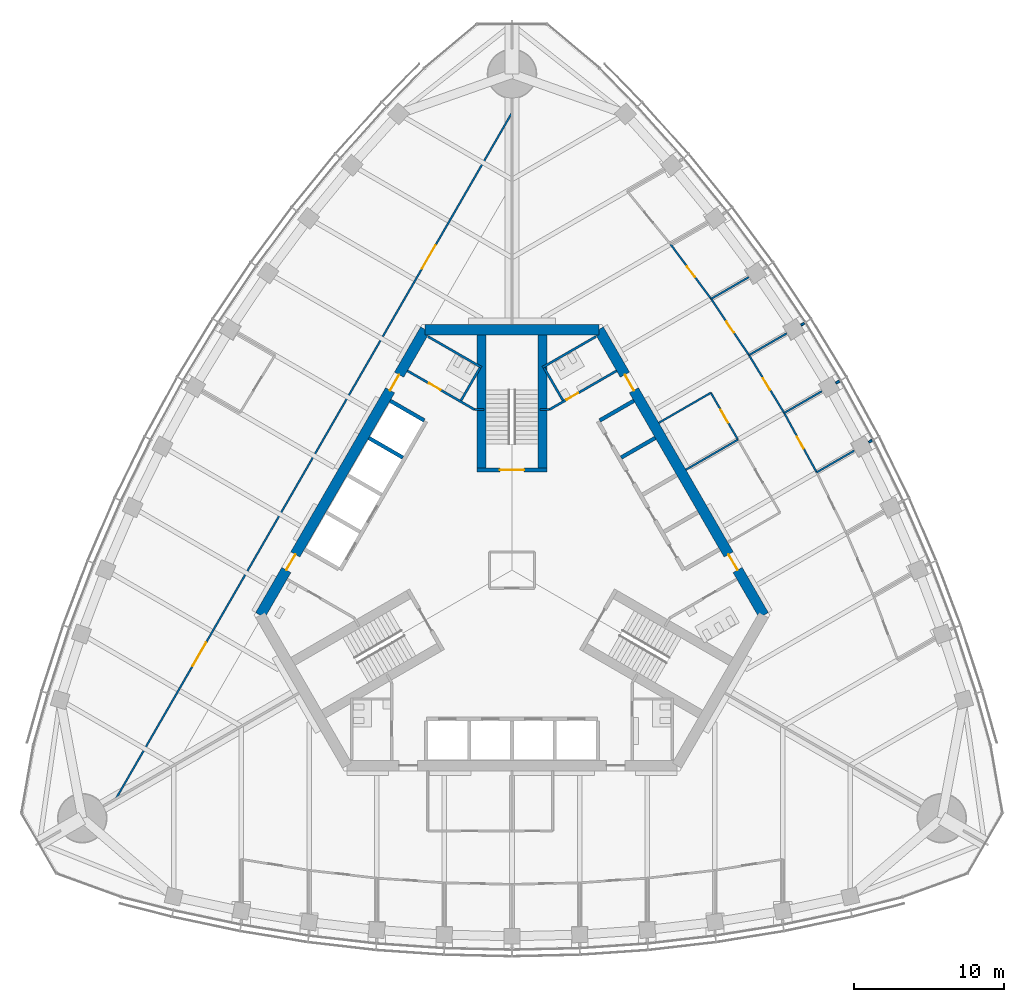
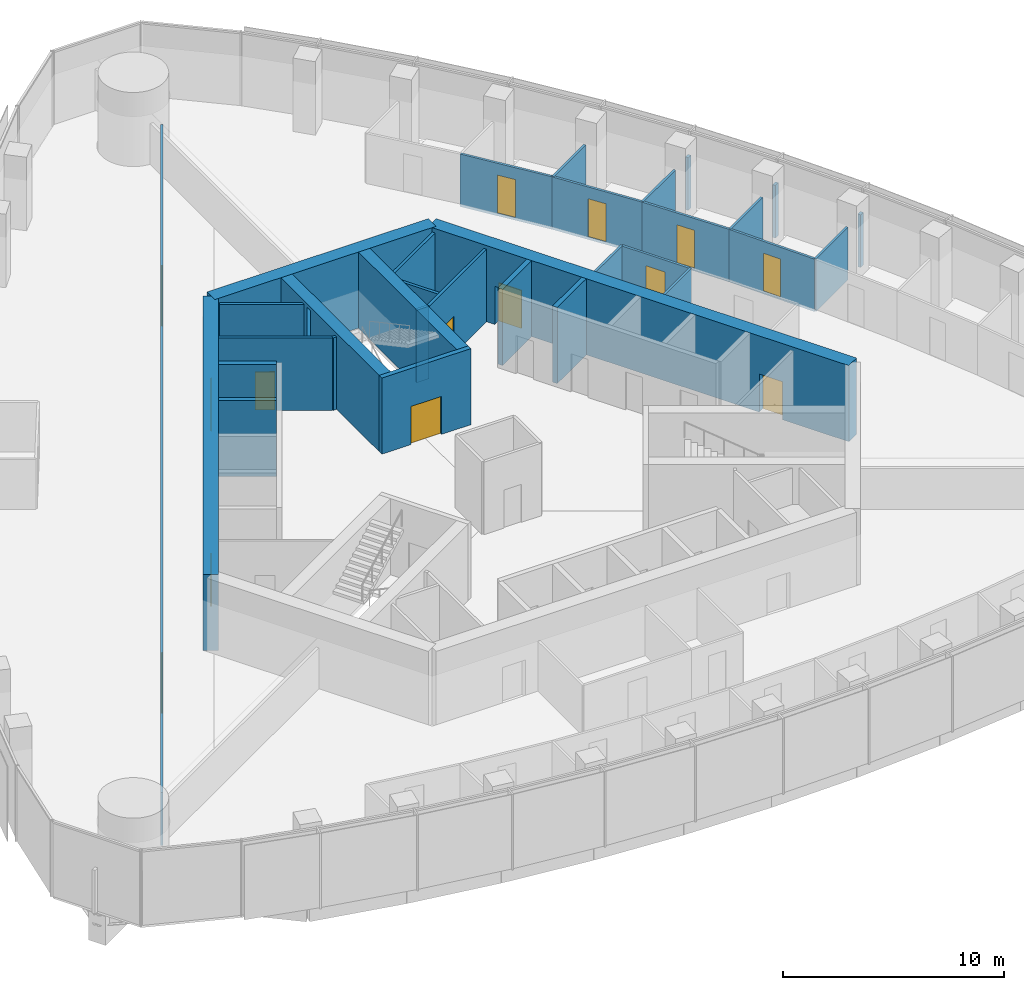
# One storey, part 14 of 20: 33 walls, 14 doors, 14 openings.
"""IFC4 building model written with IfcOpenShell, lengths in metres."""

from ifc_helpers import new_model, si_unit, direction, frame, frame_2d, origin, place, context, subcontext, project, spatial, rectangle, extrude, material, layer, layer_set, type_object, element, fill, save


model = new_model("IFC4")

# Units and contexts
model_context = context("Model", 3, precision=1e-05, world=origin(), true_north=direction((0.0, 1.0)))
body_context = subcontext(model_context, "Body", "Model", "MODEL_VIEW")
ifc_project = project(units=[si_unit("LENGTHUNIT", "METRE"), si_unit("AREAUNIT", "SQUARE_METRE"), si_unit("VOLUMEUNIT", "CUBIC_METRE"), si_unit("PLANEANGLEUNIT", "RADIAN"), si_unit("MASSUNIT", "GRAM", prefix="KILO")], contexts=[model_context])

# Site, building, storey
site_placement = place(None, origin())
site = spatial("IfcSite", under=ifc_project, at=site_placement, CompositionType="ELEMENT")
building_placement = place(site_placement, origin())
building = spatial("IfcBuilding", under=site, at=building_placement, Name="Trefoil Bronze Tower", CompositionType="ELEMENT")
storey_placement = place(building_placement, frame((0.0, 0.0, 231.699951171875)))
storey = spatial("IfcBuildingStorey", under=building, at=storey_placement, Name="L53", CompositionType="ELEMENT", Elevation=231.699951171875)

# Wall, openings, doors
ifc_material_1 = material(Name="Concrete B80", Category="concrete")
ifc_layer_1 = layer(ifc_material_1, 0.699951171875)
ifc_layer_set_1 = layer_set([ifc_layer_1], Name="Core wall 700")
wall_type_1 = type_object("IfcWallType", Name="Core wall 700", PredefinedType="SHEAR", material=ifc_layer_set_1)
wall_1_placement = place(storey_placement, frame((16.7431640625, -3.0, 0.0), z_axis=(0.0, 0.0, 1.0), x_axis=(-0.500002442456, 0.866023993627, 0.0)))
wall_1 = element("IfcWall", 1, at=wall_1_placement, inside=storey, type_object=wall_type_1, Name="Core long wall 2 L53", PredefinedType="SHEAR", context=body_context, shape_type="SweptSolid", body=[
    extrude(rectangle(XDim=21.939453125, YDim=0.699951171875, at=frame_2d((10.9697265625, 0.0))), origin(), (0.0, 0.0, 1.0), 4.199951171875),
])
opening_1_placement = place(wall_1_placement, frame((17.269775390625, 0.0, 0.0)))
opening_1 = element("IfcOpeningElement", 2, at=opening_1_placement, cuts=wall_1, Name="Opening D2", PredefinedType="OPENING", context=body_context, shape_type="SweptSolid", body=[
    extrude(rectangle(XDim=1.199951171875, YDim=2.10009765625, at=frame_2d((0.60009765625, 1.050048828125))), frame((0.0, 0.35986328125, 0.0), z_axis=(0.0, -1.0, 0.0), x_axis=(1.0, 0.0, 0.0)), (0.0, 0.0, 1.0), 0.719970703125),
])
opening_2_placement = place(wall_1_placement, frame((3.4697265625, 0.0, 0.0)))
opening_2 = element("IfcOpeningElement", 3, at=opening_2_placement, cuts=wall_1, Name="Opening D2", PredefinedType="OPENING", context=body_context, shape_type="SweptSolid", body=[
    extrude(rectangle(XDim=1.199951171875, YDim=2.10009765625, at=frame_2d((0.60009765625, 1.050048828125))), frame((0.0, 0.35986328125, 0.0), z_axis=(0.0, -1.0, 0.0), x_axis=(1.0, 0.0, 0.0)), (0.0, 0.0, 1.0), 0.719970703125),
])
ifc_material_2 = material(Name="Steel door", Category="steel")
door_type_1 = type_object("IfcDoorType", Name="Lobby door 1200", OperationType="SINGLE_SWING_RIGHT", PredefinedType="DOOR", material=ifc_material_2)
door_1_placement = place(opening_1_placement, origin())
door_1 = element("IfcDoor", 4, at=door_1_placement, inside=storey, type_object=door_type_1, Name="Lobby door F2+ L53", OperationType="SINGLE_SWING_RIGHT", OverallHeight=2.10009765625, OverallWidth=1.199951171875, PredefinedType="DOOR", context=body_context, shape_type="SweptSolid", body=[
    extrude(rectangle(XDim=1.199951171875, YDim=2.10009765625, at=frame_2d((0.60009765625, 1.050048828125))), frame((0.0, 0.02490234375, 0.0), z_axis=(0.0, -1.0, 0.0), x_axis=(1.0, 0.0, 0.0)), (0.0, 0.0, 1.0), 0.050048828125),
])
fill(opening_1, door_1)
door_2_placement = place(opening_2_placement, origin())
door_2 = element("IfcDoor", 5, at=door_2_placement, inside=storey, type_object=door_type_1, Name="Lobby door F2- L53", OperationType="SINGLE_SWING_LEFT", OverallHeight=2.10009765625, OverallWidth=1.199951171875, PredefinedType="DOOR", context=body_context, shape_type="SweptSolid", body=[
    extrude(rectangle(XDim=1.199951171875, YDim=2.10009765625, at=frame_2d((0.60009765625, 1.050048828125))), frame((0.0, 0.02490234375, 0.0), z_axis=(0.0, -1.0, 0.0), x_axis=(1.0, 0.0, 0.0)), (0.0, 0.0, 1.0), 0.050048828125),
])
fill(opening_2, door_2)

# Wall
wall_2_placement = place(storey_placement, frame((5.7734375, 16.0, 0.0), z_axis=(0.0, 0.0, 1.0), x_axis=(-1.0, 0.0, 0.0)))
element("IfcWall", 6, at=wall_2_placement, inside=storey, type_object=wall_type_1, Name="Core short wall 2 L53", PredefinedType="SHEAR", context=body_context, shape_type="SweptSolid", body=[
    extrude(rectangle(XDim=11.546875, YDim=0.699951171875, at=frame_2d((5.7734375, 0.0))), origin(), (0.0, 0.0, 1.0), 4.199951171875),
])

# Wall, openings, doors
wall_3_placement = place(storey_placement, frame((-5.7734375, 16.0, 0.0), z_axis=(0.0, 0.0, 1.0), x_axis=(-0.500002442456, -0.866023993627, 0.0)))
wall_3 = element("IfcWall", 7, at=wall_3_placement, inside=storey, type_object=wall_type_1, Name="Core long wall 3 L53", PredefinedType="SHEAR", context=body_context, shape_type="SweptSolid", body=[
    extrude(rectangle(XDim=21.939453125, YDim=0.699951171875, at=frame_2d((10.9697265625, 0.0))), origin(), (0.0, 0.0, 1.0), 4.199951171875),
])
opening_3_placement = place(wall_3_placement, frame((17.269775390625, 0.0, 0.0)))
opening_3 = element("IfcOpeningElement", 8, at=opening_3_placement, cuts=wall_3, Name="Opening D2", PredefinedType="OPENING", context=body_context, shape_type="SweptSolid", body=[
    extrude(rectangle(XDim=1.199951171875, YDim=2.10009765625, at=frame_2d((0.60009765625, 1.050048828125))), frame((0.0, 0.35986328125, 0.0), z_axis=(0.0, -1.0, 0.0), x_axis=(1.0, 0.0, 0.0)), (0.0, 0.0, 1.0), 0.719970703125),
])
opening_4_placement = place(wall_3_placement, frame((3.4697265625, 0.0, 0.0)))
opening_4 = element("IfcOpeningElement", 9, at=opening_4_placement, cuts=wall_3, Name="Opening D2", PredefinedType="OPENING", context=body_context, shape_type="SweptSolid", body=[
    extrude(rectangle(XDim=1.199951171875, YDim=2.10009765625, at=frame_2d((0.60009765625, 1.050048828125))), frame((0.0, 0.35986328125, 0.0), z_axis=(0.0, -1.0, 0.0), x_axis=(1.0, 0.0, 0.0)), (0.0, 0.0, 1.0), 0.719970703125),
])
door_3_placement = place(opening_3_placement, origin())
door_3 = element("IfcDoor", 10, at=door_3_placement, inside=storey, type_object=door_type_1, Name="Lobby door F3+ L53", OperationType="SINGLE_SWING_RIGHT", OverallHeight=2.10009765625, OverallWidth=1.199951171875, PredefinedType="DOOR", context=body_context, shape_type="SweptSolid", body=[
    extrude(rectangle(XDim=1.199951171875, YDim=2.10009765625, at=frame_2d((0.60009765625, 1.050048828125))), frame((0.0, 0.02490234375, 0.0), z_axis=(0.0, -1.0, 0.0), x_axis=(1.0, 0.0, 0.0)), (0.0, 0.0, 1.0), 0.050048828125),
])
fill(opening_3, door_3)
door_4_placement = place(opening_4_placement, origin())
door_4 = element("IfcDoor", 11, at=door_4_placement, inside=storey, type_object=door_type_1, Name="Lobby door F3- L53", OperationType="SINGLE_SWING_LEFT", OverallHeight=2.10009765625, OverallWidth=1.199951171875, PredefinedType="DOOR", context=body_context, shape_type="SweptSolid", body=[
    extrude(rectangle(XDim=1.199951171875, YDim=2.10009765625, at=frame_2d((0.60009765625, 1.050048828125))), frame((0.0, 0.02490234375, 0.0), z_axis=(0.0, -1.0, 0.0), x_axis=(1.0, 0.0, 0.0)), (0.0, 0.0, 1.0), 0.050048828125),
])
fill(opening_4, door_4)

# Wall, opening, door
ifc_material_3 = material(Name="Glazed partition", Category="glass")
ifc_layer_2 = layer(ifc_material_3, 0.1201171875)
ifc_layer_set_2 = layer_set([ifc_layer_2], Name="Glazed partition 120")
wall_type_2 = type_object("IfcWallType", Name="Glazed partition 120", PredefinedType="PARTITIONING", material=ifc_layer_set_2)
wall_4_placement = place(storey_placement, frame((15.025634765625, 8.675048828125, 0.0), z_axis=(0.0, 0.0, 1.0), x_axis=(-0.500012057535, 0.866018442252, 0.0)))
wall_4 = element("IfcWall", 12, at=wall_4_placement, inside=storey, type_object=wall_type_2, Name="Partition F2 L53", PredefinedType="PARTITIONING", context=body_context, shape_type="SweptSolid", body=[
    extrude(rectangle(XDim=3.60009765625, YDim=0.1201171875, at=frame_2d((1.800048828125, 0.0))), origin(), (0.0, 0.0, 1.0), 2.900146484375),
])
opening_5_placement = place(wall_4_placement, frame((1.300048828125, 0.0, 0.14990234375)))
opening_5 = element("IfcOpeningElement", 13, at=opening_5_placement, cuts=wall_4, Name="Opening D9", PredefinedType="OPENING", context=body_context, shape_type="SweptSolid", body=[
    extrude(rectangle(XDim=1.0, YDim=2.10009765625, at=frame_2d((0.5, 1.050048828125))), frame((0.0, 0.070068359375, 0.0), z_axis=(0.0, -1.0, 0.0), x_axis=(1.0, 0.0, 0.0)), (0.0, 0.0, 1.0), 0.14013671875),
])
ifc_material_4 = material(Name="Glazed timber door", Category="wood")
door_type_2 = type_object("IfcDoorType", Name="Meeting room door 1000", OperationType="SINGLE_SWING_LEFT", PredefinedType="DOOR", material=ifc_material_4)
door_5_placement = place(opening_5_placement, origin())
door_5 = element("IfcDoor", 14, at=door_5_placement, inside=storey, type_object=door_type_2, Name="Meeting room door F2 L53", OperationType="SINGLE_SWING_LEFT", OverallHeight=2.10009765625, OverallWidth=1.0, PredefinedType="DOOR", context=body_context, shape_type="SweptSolid", body=[
    extrude(rectangle(XDim=1.0, YDim=2.10009765625, at=frame_2d((0.5, 1.050048828125))), frame((0.0, 0.02490234375, 0.0), z_axis=(0.0, -1.0, 0.0), x_axis=(1.0, 0.0, 0.0)), (0.0, 0.0, 1.0), 0.050048828125),
])
fill(opening_5, door_5)

# Walls
for number, where, z_axis, x_axis, name in (
    (15, (9.761474609375, 9.792724609375, 0.0), (0.0, 0.0, 1.0), (0.866026010844, 0.49999894854, 0.0), "Partition F2 L53"),
    (16, (11.5615234375, 6.675048828125, 0.0), (0.0, 0.0, 1.0), (0.866026010844, 0.49999894854, 0.0), "Partition F2 L53"),
):
    element("IfcWall", number, at=place(storey_placement, frame(where, z_axis=z_axis, x_axis=x_axis)), inside=storey, type_object=wall_type_2, Name=name, PredefinedType="PARTITIONING", context=body_context, shape_type="SweptSolid", body=[
        extrude(rectangle(XDim=4.0, YDim=0.1201171875, at=frame_2d((2.0, 0.0))), origin(), (0.0, 0.0, 1.0), 2.900146484375),
    ])

# Wall, opening, door
wall_5_placement = place(storey_placement, frame((18.1005859375, 10.450439453125, 0.0), z_axis=(0.0, 0.0, 1.0), x_axis=(-0.519790350351, 0.85429385558, 0.0)))
wall_5 = element("IfcWall", 17, at=wall_5_placement, inside=storey, type_object=wall_type_2, Name="Partition F2 L53", PredefinedType="PARTITIONING", context=body_context, shape_type="SweptSolid", body=[
    extrude(rectangle(XDim=4.5009765625, YDim=0.1201171875, at=frame_2d((2.25048828125, 0.0))), origin(), (0.0, 0.0, 1.0), 2.900146484375),
])
opening_6_placement = place(wall_5_placement, frame((1.800048828125, 0.0, 0.14990234375)))
opening_6 = element("IfcOpeningElement", 18, at=opening_6_placement, cuts=wall_5, Name="Opening D8", PredefinedType="OPENING", context=body_context, shape_type="SweptSolid", body=[
    extrude(rectangle(XDim=0.89990234375, YDim=2.10009765625, at=frame_2d((0.449951171875, 1.050048828125))), frame((0.0, 0.070068359375, 0.0), z_axis=(0.0, -1.0, 0.0), x_axis=(1.0, 0.0, 0.0)), (0.0, 0.0, 1.0), 0.14013671875),
])
ifc_material_5 = material(Name="Timber door", Category="wood")
door_type_3 = type_object("IfcDoorType", Name="Office door 900", OperationType="SINGLE_SWING_LEFT", PredefinedType="DOOR", material=ifc_material_5)
door_6_placement = place(opening_6_placement, frame((0.89990234375, 0.0, 0.0), z_axis=(0.0, 0.0, 1.0), x_axis=(-1.0, 0.0, 0.0)))
door_6 = element("IfcDoor", 19, at=door_6_placement, inside=storey, type_object=door_type_3, Name="Office door F2 L53", OperationType="SINGLE_SWING_RIGHT", OverallHeight=2.10009765625, OverallWidth=0.89990234375, PredefinedType="DOOR", context=body_context, shape_type="SweptSolid", body=[
    extrude(rectangle(XDim=0.89990234375, YDim=2.10009765625, at=frame_2d((0.449951171875, 1.050048828125))), frame((0.0, 0.02490234375, 0.0), z_axis=(0.0, -1.0, 0.0), x_axis=(1.0, 0.0, 0.0)), (0.0, 0.0, 1.0), 0.050048828125),
])
fill(opening_6, door_6)

wall_6_placement = place(storey_placement, frame((15.760986328125, 14.295654296875, 0.0), z_axis=(0.0, 0.0, 1.0), x_axis=(-0.55850386778, 0.829501916619, 0.0)))
wall_6 = element("IfcWall", 20, at=wall_6_placement, inside=storey, type_object=wall_type_2, Name="Partition F2 L53", PredefinedType="PARTITIONING", context=body_context, shape_type="SweptSolid", body=[
    extrude(rectangle(XDim=4.5107421875, YDim=0.1201171875, at=frame_2d((2.25537109375, 0.0))), origin(), (0.0, 0.0, 1.0), 2.900146484375),
])
opening_7_placement = place(wall_6_placement, frame((1.800048828125, 0.0, 0.14990234375)))
opening_7 = element("IfcOpeningElement", 21, at=opening_7_placement, cuts=wall_6, Name="Opening D8", PredefinedType="OPENING", context=body_context, shape_type="SweptSolid", body=[
    extrude(rectangle(XDim=0.89990234375, YDim=2.10009765625, at=frame_2d((0.449951171875, 1.050048828125))), frame((0.0, 0.070068359375, 0.0), z_axis=(0.0, -1.0, 0.0), x_axis=(1.0, 0.0, 0.0)), (0.0, 0.0, 1.0), 0.14013671875),
])
door_7_placement = place(opening_7_placement, frame((0.89990234375, 0.0, 0.0), z_axis=(0.0, 0.0, 1.0), x_axis=(-1.0, 0.0, 0.0)))
door_7 = element("IfcDoor", 22, at=door_7_placement, inside=storey, type_object=door_type_3, Name="Office door F2 L53", OperationType="SINGLE_SWING_RIGHT", OverallHeight=2.10009765625, OverallWidth=0.89990234375, PredefinedType="DOOR", context=body_context, shape_type="SweptSolid", body=[
    extrude(rectangle(XDim=0.89990234375, YDim=2.10009765625, at=frame_2d((0.449951171875, 1.050048828125))), frame((0.0, 0.02490234375, 0.0), z_axis=(0.0, -1.0, 0.0), x_axis=(1.0, 0.0, 0.0)), (0.0, 0.0, 1.0), 0.050048828125),
])
fill(opening_7, door_7)

wall_7_placement = place(storey_placement, frame((13.24169921875, 18.037353515625, 0.0), z_axis=(0.0, 0.0, 1.0), x_axis=(-0.596173167565, 0.802855873912, 0.0)))
wall_7 = element("IfcWall", 23, at=wall_7_placement, inside=storey, type_object=wall_type_2, Name="Partition F2 L53", PredefinedType="PARTITIONING", context=body_context, shape_type="SweptSolid", body=[
    extrude(rectangle(XDim=4.530029296875, YDim=0.1201171875, at=frame_2d((2.26513671875, 0.0))), origin(), (0.0, 0.0, 1.0), 2.900146484375),
])
opening_8_placement = place(wall_7_placement, frame((1.800048828125, 0.0, 0.14990234375)))
opening_8 = element("IfcOpeningElement", 24, at=opening_8_placement, cuts=wall_7, Name="Opening D8", PredefinedType="OPENING", context=body_context, shape_type="SweptSolid", body=[
    extrude(rectangle(XDim=0.89990234375, YDim=2.10009765625, at=frame_2d((0.449951171875, 1.050048828125))), frame((0.0, 0.070068359375, 0.0), z_axis=(0.0, -1.0, 0.0), x_axis=(1.0, 0.0, 0.0)), (0.0, 0.0, 1.0), 0.14013671875),
])
door_8_placement = place(opening_8_placement, frame((0.89990234375, 0.0, 0.0), z_axis=(0.0, 0.0, 1.0), x_axis=(-1.0, 0.0, 0.0)))
door_8 = element("IfcDoor", 25, at=door_8_placement, inside=storey, type_object=door_type_3, Name="Office door F2 L53", OperationType="SINGLE_SWING_RIGHT", OverallHeight=2.10009765625, OverallWidth=0.89990234375, PredefinedType="DOOR", context=body_context, shape_type="SweptSolid", body=[
    extrude(rectangle(XDim=0.89990234375, YDim=2.10009765625, at=frame_2d((0.449951171875, 1.050048828125))), frame((0.0, 0.02490234375, 0.0), z_axis=(0.0, -1.0, 0.0), x_axis=(1.0, 0.0, 0.0)), (0.0, 0.0, 1.0), 0.050048828125),
])
fill(opening_8, door_8)

wall_8_placement = place(storey_placement, frame((20.260986328125, 6.50146484375, 0.0), z_axis=(0.0, 0.0, 1.0), x_axis=(-0.479949984371, 0.877295852322, 0.0)))
wall_8 = element("IfcWall", 26, at=wall_8_placement, inside=storey, type_object=wall_type_2, Name="Partition F2 L53", PredefinedType="PARTITIONING", context=body_context, shape_type="SweptSolid", body=[
    extrude(rectangle(XDim=4.501220703125, YDim=0.1201171875, at=frame_2d((2.25048828125, 0.0))), origin(), (0.0, 0.0, 1.0), 2.900146484375),
])
opening_9_placement = place(wall_8_placement, frame((1.800048828125, 0.0, 0.14990234375)))
opening_9 = element("IfcOpeningElement", 27, at=opening_9_placement, cuts=wall_8, Name="Opening D8", PredefinedType="OPENING", context=body_context, shape_type="SweptSolid", body=[
    extrude(rectangle(XDim=0.89990234375, YDim=2.10009765625, at=frame_2d((0.449951171875, 1.050048828125))), frame((0.0, 0.070068359375, 0.0), z_axis=(0.0, -1.0, 0.0), x_axis=(1.0, 0.0, 0.0)), (0.0, 0.0, 1.0), 0.14013671875),
])
door_9_placement = place(opening_9_placement, frame((0.89990234375, 0.0, 0.0), z_axis=(0.0, 0.0, 1.0), x_axis=(-1.0, 0.0, 0.0)))
door_9 = element("IfcDoor", 28, at=door_9_placement, inside=storey, type_object=door_type_3, Name="Office door F2 L53", OperationType="SINGLE_SWING_RIGHT", OverallHeight=2.10009765625, OverallWidth=0.89990234375, PredefinedType="DOOR", context=body_context, shape_type="SweptSolid", body=[
    extrude(rectangle(XDim=0.89990234375, YDim=2.10009765625, at=frame_2d((0.449951171875, 1.050048828125))), frame((0.0, 0.02490234375, 0.0), z_axis=(0.0, -1.0, 0.0), x_axis=(1.0, 0.0, 0.0)), (0.0, 0.0, 1.0), 0.050048828125),
])
fill(opening_9, door_9)

# Walls
wall_9_placement = place(storey_placement, frame((18.1005859375, 10.450439453125, 0.0), z_axis=(0.0, 0.0, 1.0), x_axis=(0.866054979466, 0.499948769917, 0.0)))
element("IfcWall", 29, at=wall_9_placement, inside=storey, type_object=wall_type_2, Name="Partition F2 L53", PredefinedType="PARTITIONING", context=body_context, shape_type="SweptSolid", body=[
    extrude(rectangle(XDim=2.894775390625, YDim=0.1201171875, at=frame_2d((1.447265625, 0.0))), origin(), (0.0, 0.0, 1.0), 2.900146484375),
])
wall_10_placement = place(storey_placement, frame((15.760986328125, 14.295654296875, 0.0), z_axis=(0.0, 0.0, 1.0), x_axis=(0.866022596503, 0.500004862322, 0.0)))
element("IfcWall", 30, at=wall_10_placement, inside=storey, type_object=wall_type_2, Name="Partition F2 L53", PredefinedType="PARTITIONING", context=body_context, shape_type="SweptSolid", body=[
    extrude(rectangle(XDim=2.8935546875, YDim=0.1201171875, at=frame_2d((1.44677734375, 0.0))), origin(), (0.0, 0.0, 1.0), 2.900146484375),
])
wall_11_placement = place(storey_placement, frame((13.24169921875, 18.037353515625, 0.0), z_axis=(0.0, 0.0, 1.0), x_axis=(0.865998433987, 0.500046710151, 0.0)))
element("IfcWall", 31, at=wall_11_placement, inside=storey, type_object=wall_type_2, Name="Partition F2 L53", PredefinedType="PARTITIONING", context=body_context, shape_type="SweptSolid", body=[
    extrude(rectangle(XDim=2.889404296875, YDim=0.1201171875, at=frame_2d((1.44482421875, 0.0))), origin(), (0.0, 0.0, 1.0), 2.900146484375),
])
wall_12_placement = place(storey_placement, frame((20.260986328125, 6.50146484375, 0.0), z_axis=(0.0, 0.0, 1.0), x_axis=(0.866022596503, 0.500004862322, 0.0)))
element("IfcWall", 32, at=wall_12_placement, inside=storey, type_object=wall_type_2, Name="Partition F2 L53", PredefinedType="PARTITIONING", context=body_context, shape_type="SweptSolid", body=[
    extrude(rectangle(XDim=2.8935546875, YDim=0.1201171875, at=frame_2d((1.44677734375, 0.0))), origin(), (0.0, 0.0, 1.0), 2.900146484375),
])

# Wall, openings, doors
wall_13_placement = place(storey_placement, frame((-0.016357421875, 30.3916015625, 0.0), z_axis=(0.0, 0.0, 1.0), x_axis=(-0.500000626146, -0.866025042278, 0.0)))
wall_13 = element("IfcWall", 33, at=wall_13_placement, inside=storey, type_object=wall_type_2, Name="Partition F3 L53", PredefinedType="PARTITIONING", context=body_context, shape_type="SweptSolid", body=[
    extrude(rectangle(XDim=52.62353515625, YDim=0.1201171875, at=frame_2d((26.311767578125, 0.0))), origin(), (0.0, 0.0, 1.0), 2.900146484375),
])
opening_10_placement = place(wall_13_placement, frame((10.14990234375, 0.0, 0.14990234375)))
opening_10 = element("IfcOpeningElement", 34, at=opening_10_placement, cuts=wall_13, Name="Opening D10", PredefinedType="OPENING", context=body_context, shape_type="SweptSolid", body=[
    extrude(rectangle(XDim=1.800048828125, YDim=2.10009765625, at=frame_2d((0.89990234375, 1.050048828125))), frame((0.0, 0.070068359375, 0.0), z_axis=(0.0, -1.0, 0.0), x_axis=(1.0, 0.0, 0.0)), (0.0, 0.0, 1.0), 0.14013671875),
])
opening_11_placement = place(wall_13_placement, frame((40.64990234375, 0.0, 0.14990234375)))
opening_11 = element("IfcOpeningElement", 35, at=opening_11_placement, cuts=wall_13, Name="Opening D10", PredefinedType="OPENING", context=body_context, shape_type="SweptSolid", body=[
    extrude(rectangle(XDim=1.800048828125, YDim=2.10009765625, at=frame_2d((0.89990234375, 1.050048828125))), frame((0.0, 0.070068359375, 0.0), z_axis=(0.0, -1.0, 0.0), x_axis=(1.0, 0.0, 0.0)), (0.0, 0.0, 1.0), 0.14013671875),
])
ifc_material_6 = material(Name="Timber door", Category="wood")
door_type_4 = type_object("IfcDoorType", Name="Double door 1800", OperationType="DOUBLE_DOOR_SINGLE_SWING", PredefinedType="DOOR", material=ifc_material_6)
door_10_placement = place(opening_10_placement, origin())
door_10 = element("IfcDoor", 36, at=door_10_placement, inside=storey, type_object=door_type_4, Name="Corridor door F3 L53", OperationType="DOUBLE_DOOR_SINGLE_SWING", OverallHeight=2.10009765625, OverallWidth=1.800048828125, PredefinedType="DOOR", context=body_context, shape_type="SweptSolid", body=[
    extrude(rectangle(XDim=1.800048828125, YDim=2.10009765625, at=frame_2d((0.89990234375, 1.050048828125))), frame((0.0, 0.02490234375, 0.0), z_axis=(0.0, -1.0, 0.0), x_axis=(1.0, 0.0, 0.0)), (0.0, 0.0, 1.0), 0.050048828125),
])
fill(opening_10, door_10)
door_11_placement = place(opening_11_placement, origin())
door_11 = element("IfcDoor", 37, at=door_11_placement, inside=storey, type_object=door_type_4, Name="Corridor door F3 L53", OperationType="DOUBLE_DOOR_SINGLE_SWING", OverallHeight=2.10009765625, OverallWidth=1.800048828125, PredefinedType="DOOR", context=body_context, shape_type="SweptSolid", body=[
    extrude(rectangle(XDim=1.800048828125, YDim=2.10009765625, at=frame_2d((0.89990234375, 1.050048828125))), frame((0.0, 0.02490234375, 0.0), z_axis=(0.0, -1.0, 0.0), x_axis=(1.0, 0.0, 0.0)), (0.0, 0.0, 1.0), 0.050048828125),
])
fill(opening_11, door_11)

# Wall, opening, door
ifc_material_7 = material(Name="Gypsum board on steel studs", Category="steel")
ifc_layer_3 = layer(ifc_material_7, 0.14990234375)
ifc_layer_set_3 = layer_set([ifc_layer_3], Name="Partition 150")
wall_type_3 = type_object("IfcWallType", Name="Partition 150", PredefinedType="PARTITIONING", material=ifc_layer_set_3)
wall_14_placement = place(storey_placement, frame((2.4951171875, 10.67822265625, 0.0), z_axis=(0.0, 0.0, 1.0), x_axis=(0.866037967349, 0.499978238636, 0.0)))
wall_14 = element("IfcWall", 38, at=wall_14_placement, inside=storey, type_object=wall_type_3, Name="Passage wall F2+ L53", PredefinedType="PARTITIONING", context=body_context, shape_type="SweptSolid", body=[
    extrude(rectangle(XDim=5.150146484375, YDim=0.14990234375, at=frame_2d((2.5751953125, 0.0))), origin(), (0.0, 0.0, 1.0), 4.0),
])
opening_12_placement = place(wall_14_placement, frame((1.300048828125, 0.0, 0.0)))
opening_12 = element("IfcOpeningElement", 39, at=opening_12_placement, cuts=wall_14, Name="Opening D3", PredefinedType="OPENING", context=body_context, shape_type="SweptSolid", body=[
    extrude(rectangle(XDim=0.89990234375, YDim=2.10009765625, at=frame_2d((0.449951171875, 1.050048828125))), frame((0.0, 0.0849609375, 0.0), z_axis=(0.0, -1.0, 0.0), x_axis=(1.0, 0.0, 0.0)), (0.0, 0.0, 1.0), 0.169921875),
])
ifc_material_8 = material(Name="Timber door", Category="wood")
door_type_5 = type_object("IfcDoorType", Name="WC door 900", OperationType="SINGLE_SWING_LEFT", PredefinedType="DOOR", material=ifc_material_8)
door_12_placement = place(opening_12_placement, origin())
door_12 = element("IfcDoor", 40, at=door_12_placement, inside=storey, type_object=door_type_5, Name="WC (men) door L53", OperationType="SINGLE_SWING_LEFT", OverallHeight=2.10009765625, OverallWidth=0.89990234375, PredefinedType="DOOR", context=body_context, shape_type="SweptSolid", body=[
    extrude(rectangle(XDim=0.89990234375, YDim=2.10009765625, at=frame_2d((0.449951171875, 1.050048828125))), frame((0.0, 0.02490234375, 0.0), z_axis=(0.0, -1.0, 0.0), x_axis=(1.0, 0.0, 0.0)), (0.0, 0.0, 1.0), 0.050048828125),
])
fill(opening_12, door_12)

wall_15_placement = place(storey_placement, frame((-2.4951171875, 10.67822265625, 0.0), z_axis=(0.0, 0.0, 1.0), x_axis=(-0.866037967349, 0.499978238636, 0.0)))
wall_15 = element("IfcWall", 41, at=wall_15_placement, inside=storey, type_object=wall_type_3, Name="Passage wall F3- L53", PredefinedType="PARTITIONING", context=body_context, shape_type="SweptSolid", body=[
    extrude(rectangle(XDim=5.150146484375, YDim=0.14990234375, at=frame_2d((2.5751953125, 0.0))), origin(), (0.0, 0.0, 1.0), 4.0),
])
opening_13_placement = place(wall_15_placement, frame((2.60009765625, 0.0, 0.0)))
opening_13 = element("IfcOpeningElement", 42, at=opening_13_placement, cuts=wall_15, Name="Opening D3", PredefinedType="OPENING", context=body_context, shape_type="SweptSolid", body=[
    extrude(rectangle(XDim=0.89990234375, YDim=2.10009765625, at=frame_2d((0.449951171875, 1.050048828125))), frame((0.0, 0.0849609375, 0.0), z_axis=(0.0, -1.0, 0.0), x_axis=(1.0, 0.0, 0.0)), (0.0, 0.0, 1.0), 0.169921875),
])
door_13_placement = place(opening_13_placement, frame((0.89990234375, 0.0, 0.0), z_axis=(0.0, 0.0, 1.0), x_axis=(-1.0, 0.0, 0.0)))
door_13 = element("IfcDoor", 43, at=door_13_placement, inside=storey, type_object=door_type_5, Name="WC (women) door L53", OperationType="SINGLE_SWING_RIGHT", OverallHeight=2.10009765625, OverallWidth=0.89990234375, PredefinedType="DOOR", context=body_context, shape_type="SweptSolid", body=[
    extrude(rectangle(XDim=0.89990234375, YDim=2.10009765625, at=frame_2d((0.449951171875, 1.050048828125))), frame((0.0, 0.02490234375, 0.0), z_axis=(0.0, -1.0, 0.0), x_axis=(1.0, 0.0, 0.0)), (0.0, 0.0, 1.0), 0.050048828125),
])
fill(opening_13, door_13)

# Walls
for number, where, z_axis, x_axis, name in (
    (44, (2.4951171875, 10.67822265625, 0.0), (0.0, 0.0, 1.0), (-1.0, 0.0, 0.0), "WC wall ST2-1 L53"),
    (45, (-2.4951171875, 10.67822265625, 0.0), (0.0, 0.0, 1.0), (1.0, 0.0, 0.0), "WC wall ST2+1 L53"),
):
    element("IfcWall", number, at=place(storey_placement, frame(where, z_axis=z_axis, x_axis=x_axis)), inside=storey, type_object=wall_type_3, Name=name, PredefinedType="PARTITIONING", context=body_context, shape_type="SweptSolid", body=[
        extrude(rectangle(XDim=0.64501953125, YDim=0.14990234375, at=frame_2d((0.322509765625, 0.0))), origin(), (0.0, 0.0, 1.0), 4.0),
    ])
wall_16_placement = place(storey_placement, frame((2.03125, 13.48193359375, 0.0), z_axis=(0.0, 0.0, 1.0), x_axis=(0.866050731258, 0.499956128963, 0.0)))
element("IfcWall", 46, at=wall_16_placement, inside=storey, type_object=wall_type_3, Name="WC partition WC (men) L53", PredefinedType="PARTITIONING", context=body_context, shape_type="SweptSolid", body=[
    extrude(rectangle(XDim=4.099853515625, YDim=0.14990234375, at=frame_2d((2.0498046875, 0.0))), origin(), (0.0, 0.0, 1.0), 4.0),
])
wall_17_placement = place(storey_placement, frame((3.388671875, 11.28076171875, 0.0), z_axis=(0.0, 0.0, 1.0), x_axis=(-0.499989096993, 0.866031698547, 0.0)))
element("IfcWall", 47, at=wall_17_placement, inside=storey, type_object=wall_type_3, Name="WC partition WC (men) L53", PredefinedType="PARTITIONING", context=body_context, shape_type="SweptSolid", body=[
    extrude(rectangle(XDim=2.509765625, YDim=0.14990234375, at=frame_2d((1.2548828125, 0.0))), origin(), (0.0, 0.0, 1.0), 4.0),
])
wall_18_placement = place(storey_placement, frame((-2.03125, 13.48193359375, 0.0), z_axis=(0.0, 0.0, 1.0), x_axis=(-0.866050731258, 0.499956128963, 0.0)))
element("IfcWall", 48, at=wall_18_placement, inside=storey, type_object=wall_type_3, Name="WC partition WC (women) L53", PredefinedType="PARTITIONING", context=body_context, shape_type="SweptSolid", body=[
    extrude(rectangle(XDim=4.099853515625, YDim=0.14990234375, at=frame_2d((2.0498046875, 0.0))), origin(), (0.0, 0.0, 1.0), 4.0),
])
wall_19_placement = place(storey_placement, frame((-3.388671875, 11.28076171875, 0.0), z_axis=(0.0, 0.0, 1.0), x_axis=(0.499989096993, 0.866031698547, 0.0)))
element("IfcWall", 49, at=wall_19_placement, inside=storey, type_object=wall_type_3, Name="WC partition WC (women) L53", PredefinedType="PARTITIONING", context=body_context, shape_type="SweptSolid", body=[
    extrude(rectangle(XDim=2.509765625, YDim=0.14990234375, at=frame_2d((1.2548828125, 0.0))), origin(), (0.0, 0.0, 1.0), 4.0),
])
wall_20_placement = place(storey_placement, frame((19.2265625, 16.296630859375, 0.0), z_axis=(0.0, 0.0, 1.0), x_axis=(0.866135455726, 0.499809335981, 0.0)))
element("IfcWall", 50, at=wall_20_placement, inside=storey, type_object=wall_type_3, Name="Partition F2 L53", PredefinedType="PARTITIONING", context=body_context, shape_type="SweptSolid", body=[
    extrude(rectangle(XDim=0.2431640625, YDim=0.14990234375, at=frame_2d((0.12158203125, 0.0))), origin(), (0.0, 0.0, 1.0), 2.900146484375),
])
wall_21_placement = place(storey_placement, frame((21.54638671875, 12.439697265625, 0.0), z_axis=(0.0, 0.0, 1.0), x_axis=(0.866032814021, 0.499987164874, 0.0)))
element("IfcWall", 51, at=wall_21_placement, inside=storey, type_object=wall_type_3, Name="Partition F2 L53", PredefinedType="PARTITIONING", context=body_context, shape_type="SweptSolid", body=[
    extrude(rectangle(XDim=0.26611328125, YDim=0.14990234375, at=frame_2d((0.133056640625, 0.0))), origin(), (0.0, 0.0, 1.0), 2.900146484375),
])
wall_22_placement = place(storey_placement, frame((23.7265625, 8.50244140625, 0.0), z_axis=(0.0, 0.0, 1.0), x_axis=(0.866135455726, 0.499809335981, 0.0)))
element("IfcWall", 52, at=wall_22_placement, inside=storey, type_object=wall_type_3, Name="Partition F2 L53", PredefinedType="PARTITIONING", context=body_context, shape_type="SweptSolid", body=[
    extrude(rectangle(XDim=0.2431640625, YDim=0.14990234375, at=frame_2d((0.12158203125, 0.0))), origin(), (0.0, 0.0, 1.0), 2.900146484375),
])
ifc_material_9 = material(Name="Concrete B80", Category="concrete")
ifc_layer_4 = layer(ifc_material_9, 0.25)
ifc_layer_set_4 = layer_set([ifc_layer_4], Name="Shaft wall 250")
wall_type_4 = type_object("IfcWallType", Name="Shaft wall 250", PredefinedType="SHEAR", material=ifc_layer_set_4)
for number, where, z_axis, x_axis, name in (
    (53, (7.2568359375, 7.480712890625, 0.0), (0.0, 0.0, 1.0), (0.866036909293, 0.499980071345, 0.0), "Lift shaft side wall B3 L53"),
    (54, (5.831787109375, 9.94873046875, 0.0), (0.0, 0.0, 1.0), (0.866036909293, 0.499980071345, 0.0), "Lift shaft side wall B4 L53"),
    (55, (-5.831787109375, 9.94873046875, 0.0), (0.0, 0.0, 1.0), (-0.866036909293, 0.499980071345, 0.0), "Lift shaft side wall C0 L53"),
    (56, (-7.2568359375, 7.480712890625, 0.0), (0.0, 0.0, 1.0), (-0.866036909293, 0.499980071345, 0.0), "Lift shaft side wall C1 L53"),
):
    element("IfcWall", number, at=place(storey_placement, frame(where, z_axis=z_axis, x_axis=x_axis)), inside=storey, type_object=wall_type_4, Name=name, PredefinedType="SHEAR", context=body_context, shape_type="SweptSolid", body=[
        extrude(rectangle(XDim=2.625, YDim=0.25, at=frame_2d((1.3125, 0.0))), origin(), (0.0, 0.0, 1.0), 4.199951171875),
    ])

# Wall, opening, door
wall_23_placement = place(storey_placement, frame((2.324951171875, 6.64990234375, 0.0), z_axis=(0.0, 0.0, 1.0), x_axis=(-1.0, 0.0, 0.0)))
wall_23 = element("IfcWall", 57, at=wall_23_placement, inside=storey, type_object=wall_type_4, Name="Stair end wall ST2 L53", PredefinedType="SHEAR", context=body_context, shape_type="SweptSolid", body=[
    extrude(rectangle(XDim=4.64990234375, YDim=0.25, at=frame_2d((2.324951171875, 0.0))), origin(), (0.0, 0.0, 1.0), 4.199951171875),
])
opening_14_placement = place(wall_23_placement, frame((1.52490234375, 0.0, 0.0)))
opening_14 = element("IfcOpeningElement", 58, at=opening_14_placement, cuts=wall_23, Name="Opening D1", PredefinedType="OPENING", context=body_context, shape_type="SweptSolid", body=[
    extrude(rectangle(XDim=1.60009765625, YDim=2.10009765625, at=frame_2d((0.800048828125, 1.050048828125))), frame((0.0, 0.135009765625, 0.0), z_axis=(0.0, -1.0, 0.0), x_axis=(1.0, 0.0, 0.0)), (0.0, 0.0, 1.0), 0.27001953125),
])
ifc_material_10 = material(Name="Steel door", Category="steel")
door_type_6 = type_object("IfcDoorType", Name="Stair door 1600", OperationType="DOUBLE_DOOR_SINGLE_SWING", PredefinedType="DOOR", material=ifc_material_10)
door_14_placement = place(opening_14_placement, frame((1.60009765625, 0.0, 0.0), z_axis=(0.0, 0.0, 1.0), x_axis=(-1.0, 0.0, 0.0)))
door_14 = element("IfcDoor", 59, at=door_14_placement, inside=storey, type_object=door_type_6, Name="Stair door ST2 L53", OperationType="DOUBLE_DOOR_SINGLE_SWING", OverallHeight=2.10009765625, OverallWidth=1.60009765625, PredefinedType="DOOR", context=body_context, shape_type="SweptSolid", body=[
    extrude(rectangle(XDim=1.60009765625, YDim=2.10009765625, at=frame_2d((0.800048828125, 1.050048828125))), frame((0.0, 0.02490234375, 0.0), z_axis=(0.0, -1.0, 0.0), x_axis=(1.0, 0.0, 0.0)), (0.0, 0.0, 1.0), 0.050048828125),
])
fill(opening_14, door_14)

# Walls
ifc_material_11 = material(Name="Concrete B80", Category="concrete")
ifc_layer_5 = layer(ifc_material_11, 0.60009765625)
ifc_layer_set_5 = layer_set([ifc_layer_5], Name="Stair wall 600")
wall_type_5 = type_object("IfcWallType", Name="Stair wall 600", PredefinedType="SHEAR", material=ifc_layer_set_5)
for number, where, z_axis, x_axis, name in (
    (60, (2.02490234375, 6.52490234375, 0.0), (0.0, 0.0, 1.0), (0.0, 1.0, 0.0), "Stair wall ST2 L53"),
    (61, (-2.02490234375, 6.52490234375, 0.0), (0.0, 0.0, 1.0), (0.0, 1.0, 0.0), "Stair wall ST2 L53"),
):
    element("IfcWall", number, at=place(storey_placement, frame(where, z_axis=z_axis, x_axis=x_axis)), inside=storey, type_object=wall_type_5, Name=name, PredefinedType="SHEAR", context=body_context, shape_type="SweptSolid", body=[
        extrude(rectangle(XDim=9.125, YDim=0.60009765625, at=frame_2d((4.5625, 0.0))), origin(), (0.0, 0.0, 1.0), 4.199951171875),
    ])

save(model, "model.ifc")
